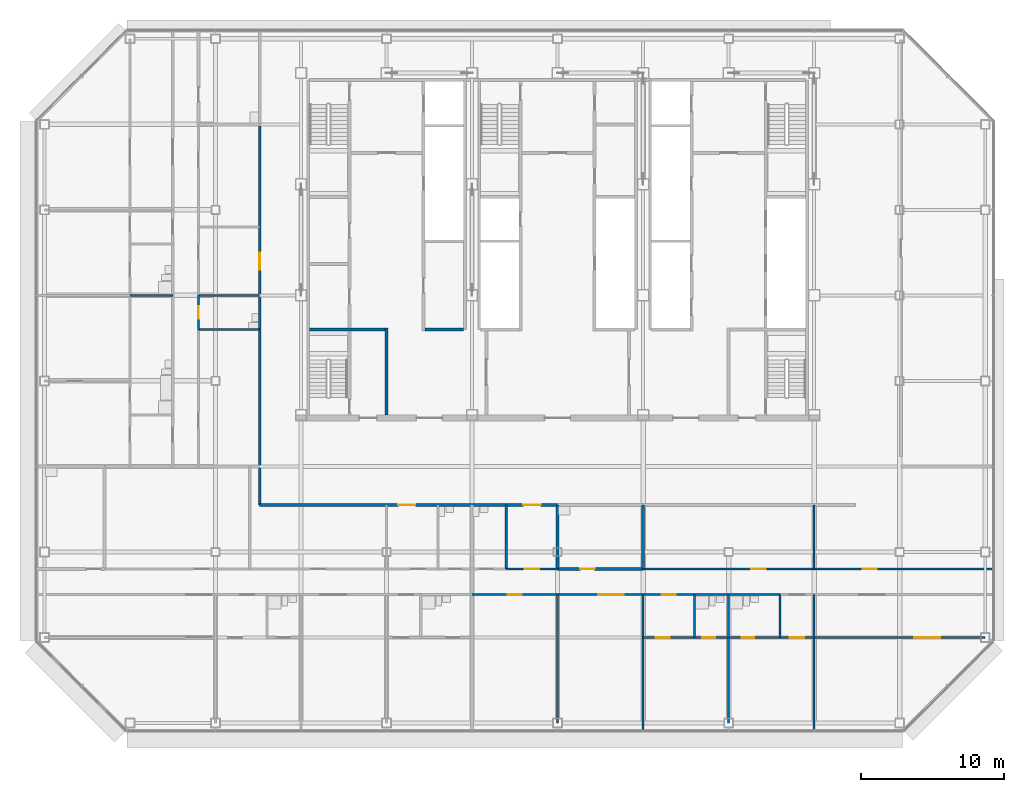
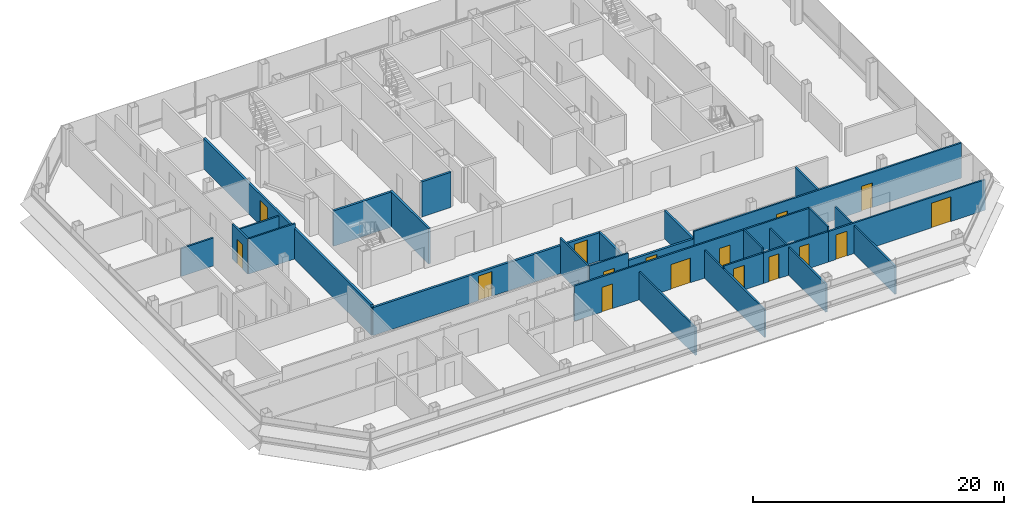
# One storey, part 21 of 27: 28 walls, 16 doors, 16 openings.
"""IFC4 building model written with IfcOpenShell, lengths in metres."""

from ifc_helpers import new_model, si_unit, direction, frame, frame_2d, origin, place, context, subcontext, project, spatial, rectangle, extrude, material, layer, layer_set, type_object, element, fill, save


model = new_model("IFC4")

# Units and contexts
model_context = context("Model", 3, precision=1e-05, world=origin(), true_north=direction((0.0, 1.0)))
body_context = subcontext(model_context, "Body", "Model", "MODEL_VIEW")
ifc_project = project(units=[si_unit("LENGTHUNIT", "METRE"), si_unit("AREAUNIT", "SQUARE_METRE"), si_unit("VOLUMEUNIT", "CUBIC_METRE"), si_unit("PLANEANGLEUNIT", "RADIAN"), si_unit("MASSUNIT", "GRAM", prefix="KILO")], contexts=[model_context])

# Site, building, storey
site_placement = place(None, origin())
site = spatial("IfcSite", under=ifc_project, at=site_placement, CompositionType="ELEMENT")
building_placement = place(site_placement, origin())
building = spatial("IfcBuilding", under=site, at=building_placement, Name="Sorahane Residences", CompositionType="ELEMENT")
storey_placement = place(building_placement, frame((0.0, 0.0, 202.800048828125)))
storey = spatial("IfcBuildingStorey", under=building, at=storey_placement, Name="L47", CompositionType="ELEMENT", Elevation=202.800048828125)

# Wall, opening, door
ifc_material_1 = material(Name="Concrete blockwork C20 wall", Category="masonry")
ifc_layer_1 = layer(ifc_material_1, 0.199951171875)
ifc_layer_set_1 = layer_set([ifc_layer_1], Name="Corridor wall 200 EI 120")
wall_type_1 = type_object("IfcWallType", Name="Corridor wall 200 EI 120", PredefinedType="SOLIDWALL", material=ifc_layer_set_1)
wall_1_placement = place(storey_placement, frame((3.10009765625, 15.300048828125, 0.0), z_axis=(0.0, 0.0, 1.0), x_axis=(0.0, 1.0, 0.0)))
wall_1 = element("IfcWall", 1, at=wall_1_placement, inside=storey, type_object=wall_type_1, Name="L47 corridor wall", PredefinedType="SOLIDWALL", context=body_context, shape_type="SweptSolid", body=[
    extrude(rectangle(XDim=26.699951171875, YDim=0.199951171875, at=frame_2d((13.35009765625, 0.0))), origin(), (0.0, 0.0, 1.0), 2.969970703125),
])
opening_1_placement = place(wall_1_placement, frame((16.5, 0.0, 0.0)))
opening_1 = element("IfcOpeningElement", 2, at=opening_1_placement, cuts=wall_1, Name="Opening L47-46", PredefinedType="OPENING", context=body_context, shape_type="SweptSolid", body=[
    extrude(rectangle(XDim=1.199951171875, YDim=2.39990234375, at=frame_2d((0.60009765625, 1.199951171875))), frame((0.0, 0.10986328125, 0.0), z_axis=(0.0, -1.0, 0.0), x_axis=(1.0, 0.0, 0.0)), (0.0, 0.0, 1.0), 0.219970703125),
])
ifc_material_2 = material(Name="Timber veneered fire door", Category="wood")
door_type_1 = type_object("IfcDoorType", Name="Flat entrance door 1200x2400 FD60", OperationType="NOTDEFINED", PredefinedType="DOOR", material=ifc_material_2)
door_1_placement = place(opening_1_placement, origin())
door_1 = element("IfcDoor", 3, at=door_1_placement, inside=storey, type_object=door_type_1, Name="Flat entrance door L47-46", OperationType="SINGLE_SWING_LEFT", OverallHeight=2.39990234375, OverallWidth=1.199951171875, PredefinedType="DOOR", context=body_context, shape_type="SweptSolid", body=[
    extrude(rectangle(XDim=1.199951171875, YDim=2.39990234375, at=frame_2d((0.60009765625, 1.199951171875))), frame((0.0, 0.02490234375, 0.0), z_axis=(0.0, -1.0, 0.0), x_axis=(1.0, 0.0, 0.0)), (0.0, 0.0, 1.0), 0.050048828125),
])
fill(opening_1, door_1)

# Wall, openings, doors
wall_2_placement = place(storey_placement, frame((3.10009765625, 15.300048828125, 0.0), z_axis=(0.0, 0.0, 1.0), x_axis=(1.0, 0.0, 0.0)))
wall_2 = element("IfcWall", 4, at=wall_2_placement, inside=storey, type_object=wall_type_1, Name="L47 corridor wall", PredefinedType="SOLIDWALL", context=body_context, shape_type="SweptSolid", body=[
    extrude(rectangle(XDim=20.89990234375, YDim=0.199951171875, at=frame_2d((10.449951171875, 0.0))), origin(), (0.0, 0.0, 1.0), 2.719970703125),
])
opening_2_placement = place(wall_2_placement, frame((9.719970703125, 0.0, 0.0)))
opening_2 = element("IfcOpeningElement", 5, at=opening_2_placement, cuts=wall_2, Name="Opening L47-44", PredefinedType="OPENING", context=body_context, shape_type="SweptSolid", body=[
    extrude(rectangle(XDim=1.199951171875, YDim=2.39990234375, at=frame_2d((0.60009765625, 1.199951171875))), frame((0.0, 0.10986328125, 0.0), z_axis=(0.0, -1.0, 0.0), x_axis=(1.0, 0.0, 0.0)), (0.0, 0.0, 1.0), 0.219970703125),
])
opening_3_placement = place(wall_2_placement, frame((18.5, 0.0, 0.0)))
opening_3 = element("IfcOpeningElement", 6, at=opening_3_placement, cuts=wall_2, Name="Opening L47-45", PredefinedType="OPENING", context=body_context, shape_type="SweptSolid", body=[
    extrude(rectangle(XDim=1.199951171875, YDim=2.39990234375, at=frame_2d((0.60009765625, 1.199951171875))), frame((0.0, 0.10986328125, 0.0), z_axis=(0.0, -1.0, 0.0), x_axis=(1.0, 0.0, 0.0)), (0.0, 0.0, 1.0), 0.219970703125),
])
door_2_placement = place(opening_2_placement, frame((1.199951171875, 0.0, 0.0), z_axis=(0.0, 0.0, 1.0), x_axis=(-1.0, 0.0, 0.0)))
door_2 = element("IfcDoor", 7, at=door_2_placement, inside=storey, type_object=door_type_1, Name="Flat entrance door L47-44", OperationType="SINGLE_SWING_RIGHT", OverallHeight=2.39990234375, OverallWidth=1.199951171875, PredefinedType="DOOR", context=body_context, shape_type="SweptSolid", body=[
    extrude(rectangle(XDim=1.199951171875, YDim=2.39990234375, at=frame_2d((0.60009765625, 1.199951171875))), frame((0.0, 0.02490234375, 0.0), z_axis=(0.0, -1.0, 0.0), x_axis=(1.0, 0.0, 0.0)), (0.0, 0.0, 1.0), 0.050048828125),
])
fill(opening_2, door_2)
door_3_placement = place(opening_3_placement, frame((1.199951171875, 0.0, 0.0), z_axis=(0.0, 0.0, 1.0), x_axis=(-1.0, 0.0, 0.0)))
door_3 = element("IfcDoor", 8, at=door_3_placement, inside=storey, type_object=door_type_1, Name="Flat entrance door L47-45", OperationType="SINGLE_SWING_RIGHT", OverallHeight=2.39990234375, OverallWidth=1.199951171875, PredefinedType="DOOR", context=body_context, shape_type="SweptSolid", body=[
    extrude(rectangle(XDim=1.199951171875, YDim=2.39990234375, at=frame_2d((0.60009765625, 1.199951171875))), frame((0.0, 0.02490234375, 0.0), z_axis=(0.0, -1.0, 0.0), x_axis=(1.0, 0.0, 0.0)), (0.0, 0.0, 1.0), 0.050048828125),
])
fill(opening_3, door_3)

# Walls
ifc_material_3 = material(Name="Concrete C30", Category="concrete")
ifc_layer_2 = layer(ifc_material_3, 0.199951171875)
ifc_layer_set_2 = layer_set([ifc_layer_2], Name="Front room wall 200 EI 120")
wall_type_2 = type_object("IfcWallType", Name="Front room wall 200 EI 120", PredefinedType="PARTITIONING", material=ifc_layer_set_2)
wall_3_placement = place(storey_placement, frame((12.0, 21.60009765625, 0.0), z_axis=(0.0, 0.0, 1.0), x_axis=(0.0, 1.0, 0.0)))
element("IfcWall", 9, at=wall_3_placement, inside=storey, type_object=wall_type_2, Name="L47 front room wall", PredefinedType="PARTITIONING", context=body_context, shape_type="SweptSolid", body=[
    extrude(rectangle(XDim=6.099853515625, YDim=0.199951171875, at=frame_2d((3.0498046875, 0.0))), origin(), (0.0, 0.0, 1.0), 3.419921875),
])
ifc_material_4 = material(Name="Concrete blockwork C20 wall", Category="masonry")
ifc_layer_3 = layer(ifc_material_4, 0.199951171875)
ifc_layer_set_3 = layer_set([ifc_layer_3], Name="Kitchen wall 200 EI 180")
wall_type_3 = type_object("IfcWallType", Name="Kitchen wall 200 EI 180", PredefinedType="SOLIDWALL", material=ifc_layer_set_3)
for number, where, z_axis, x_axis, name in (
    (10, (24.0, 10.800048828125, 0.0), (0.0, 0.0, 1.0), (0.0, 1.0, 0.0), "L47 kitchen wall"),
    (11, (30.0, 10.800048828125, 0.0), (0.0, 0.0, 1.0), (0.0, 1.0, 0.0), "L47 kitchen wall"),
):
    element("IfcWall", number, at=place(storey_placement, frame(where, z_axis=z_axis, x_axis=x_axis)), inside=storey, type_object=wall_type_3, Name=name, PredefinedType="SOLIDWALL", context=body_context, shape_type="SweptSolid", body=[
        extrude(rectangle(XDim=4.5, YDim=0.199951171875, at=frame_2d((2.25, 0.0))), origin(), (0.0, 0.0, 1.0), 2.719970703125),
    ])

# Wall, opening, door
wall_4_placement = place(storey_placement, frame((24.0, 10.800048828125, 0.0), z_axis=(0.0, 0.0, 1.0), x_axis=(1.0, 0.0, 0.0)))
wall_4 = element("IfcWall", 12, at=wall_4_placement, inside=storey, type_object=wall_type_3, Name="L47 kitchen wall", PredefinedType="SOLIDWALL", context=body_context, shape_type="SweptSolid", body=[
    extrude(rectangle(XDim=6.0, YDim=0.199951171875, at=frame_2d((3.0, 0.0))), origin(), (0.0, 0.0, 1.0), 2.719970703125),
])
opening_4_placement = place(wall_4_placement, frame((1.60009765625, 0.0, 0.0)))
opening_4 = element("IfcOpeningElement", 13, at=opening_4_placement, cuts=wall_4, Name="Opening L47-17", PredefinedType="OPENING", context=body_context, shape_type="SweptSolid", body=[
    extrude(rectangle(XDim=1.0, YDim=2.39990234375, at=frame_2d((0.5, 1.199951171875))), frame((0.0, 0.10986328125, 0.0), z_axis=(0.0, -1.0, 0.0), x_axis=(1.0, 0.0, 0.0)), (0.0, 0.0, 1.0), 0.219970703125),
])
ifc_material_5 = material(Name="Steel", Category="steel")
door_type_2 = type_object("IfcDoorType", Name="Kitchen door 1000x2400 FD120", OperationType="NOTDEFINED", PredefinedType="DOOR", material=ifc_material_5)
door_4_placement = place(opening_4_placement, origin())
door_4 = element("IfcDoor", 14, at=door_4_placement, inside=storey, type_object=door_type_2, Name="Kitchen door L47-17", OperationType="SINGLE_SWING_RIGHT", OverallHeight=2.39990234375, OverallWidth=1.0, PredefinedType="DOOR", context=body_context, shape_type="SweptSolid", body=[
    extrude(rectangle(XDim=1.0, YDim=2.39990234375, at=frame_2d((0.5, 1.199951171875))), frame((0.0, 0.02490234375, 0.0), z_axis=(0.0, -1.0, 0.0), x_axis=(1.0, 0.0, 0.0)), (0.0, 0.0, 1.0), 0.050048828125),
])
fill(opening_4, door_4)

# Walls
ifc_material_6 = material(Name="Gypsum board partition on steel studs", Category="steel")
ifc_layer_4 = layer(ifc_material_6, 0.14990234375)
ifc_layer_set_4 = layer_set([ifc_layer_4], Name="Partition 150 EI 90")
wall_type_4 = type_object("IfcWallType", Name="Partition 150 EI 90", PredefinedType="PARTITIONING", material=ifc_layer_set_4)
wall_5_placement = place(storey_placement, frame((24.0, 0.0, 0.0), z_axis=(0.0, 0.0, 1.0), x_axis=(0.0, 1.0, 0.0)))
element("IfcWall", 15, at=wall_5_placement, inside=storey, type_object=wall_type_4, Name="L47 partition", PredefinedType="PARTITIONING", context=body_context, shape_type="SweptSolid", body=[
    extrude(rectangle(XDim=9.0, YDim=0.14990234375, at=frame_2d((4.5, 0.0))), origin(), (0.0, 0.0, 1.0), 2.719970703125),
])
wall_6_placement = place(storey_placement, frame((30.0, -0.60009765625, 0.0), z_axis=(0.0, 0.0, 1.0), x_axis=(0.0, 1.0, 0.0)))
element("IfcWall", 16, at=wall_6_placement, inside=storey, type_object=wall_type_4, Name="L47 partition", PredefinedType="PARTITIONING", context=body_context, shape_type="SweptSolid", body=[
    extrude(rectangle(XDim=9.60009765625, YDim=0.14990234375, at=frame_2d((4.800048828125, 0.0))), origin(), (0.0, 0.0, 1.0), 2.719970703125),
])
wall_7_placement = place(storey_placement, frame((36.0, 0.0, 0.0), z_axis=(0.0, 0.0, 1.0), x_axis=(0.0, 1.0, 0.0)))
element("IfcWall", 17, at=wall_7_placement, inside=storey, type_object=wall_type_4, Name="L47 partition", PredefinedType="PARTITIONING", context=body_context, shape_type="SweptSolid", body=[
    extrude(rectangle(XDim=6.0, YDim=0.14990234375, at=frame_2d((3.0, 0.0))), origin(), (0.0, 0.0, 1.0), 2.719970703125),
])
wall_8_placement = place(storey_placement, frame((42.0, -0.60009765625, 0.0), z_axis=(0.0, 0.0, 1.0), x_axis=(0.0, 1.0, 0.0)))
element("IfcWall", 18, at=wall_8_placement, inside=storey, type_object=wall_type_4, Name="L47 partition", PredefinedType="PARTITIONING", context=body_context, shape_type="SweptSolid", body=[
    extrude(rectangle(XDim=9.60009765625, YDim=0.14990234375, at=frame_2d((4.800048828125, 0.0))), origin(), (0.0, 0.0, 1.0), 2.719970703125),
])
wall_9_placement = place(storey_placement, frame((42.0, 10.800048828125, 0.0), z_axis=(0.0, 0.0, 1.0), x_axis=(0.0, 1.0, 0.0)))
element("IfcWall", 19, at=wall_9_placement, inside=storey, type_object=wall_type_4, Name="L47 partition", PredefinedType="PARTITIONING", context=body_context, shape_type="SweptSolid", body=[
    extrude(rectangle(XDim=4.5, YDim=0.14990234375, at=frame_2d((2.25, 0.0))), origin(), (0.0, 0.0, 1.0), 2.719970703125),
])

# Wall, opening, door
wall_10_placement = place(storey_placement, frame((20.39990234375, 10.800048828125, 0.0), z_axis=(0.0, 0.0, 1.0), x_axis=(1.0, 0.0, 0.0)))
wall_10 = element("IfcWall", 20, at=wall_10_placement, inside=storey, type_object=wall_type_4, Name="L47 partition", PredefinedType="PARTITIONING", context=body_context, shape_type="SweptSolid", body=[
    extrude(rectangle(XDim=3.60009765625, YDim=0.14990234375, at=frame_2d((1.800048828125, 0.0))), origin(), (0.0, 0.0, 1.0), 3.419921875),
])
opening_5_placement = place(wall_10_placement, frame((1.300048828125, 0.0, 0.0)))
opening_5 = element("IfcOpeningElement", 21, at=opening_5_placement, cuts=wall_10, Name="Opening L47-15", PredefinedType="OPENING", context=body_context, shape_type="SweptSolid", body=[
    extrude(rectangle(XDim=1.0, YDim=2.39990234375, at=frame_2d((0.5, 1.199951171875))), frame((0.0, 0.0849609375, 0.0), z_axis=(0.0, -1.0, 0.0), x_axis=(1.0, 0.0, 0.0)), (0.0, 0.0, 1.0), 0.169921875),
])
ifc_material_7 = material(Name="Timber veneered fire door", Category="wood")
door_type_3 = type_object("IfcDoorType", Name="Room door 1000x2400 FD30", OperationType="NOTDEFINED", PredefinedType="DOOR", material=ifc_material_7)
door_5_placement = place(opening_5_placement, frame((1.0, 0.0, 0.0), z_axis=(0.0, 0.0, 1.0), x_axis=(-1.0, 0.0, 0.0)))
door_5 = element("IfcDoor", 22, at=door_5_placement, inside=storey, type_object=door_type_3, Name="Room door L47-15", OperationType="SINGLE_SWING_LEFT", OverallHeight=2.39990234375, OverallWidth=1.0, PredefinedType="DOOR", context=body_context, shape_type="SweptSolid", body=[
    extrude(rectangle(XDim=1.0, YDim=2.39990234375, at=frame_2d((0.5, 1.199951171875))), frame((0.0, 0.02490234375, 0.0), z_axis=(0.0, -1.0, 0.0), x_axis=(1.0, 0.0, 0.0)), (0.0, 0.0, 1.0), 0.050048828125),
])
fill(opening_5, door_5)

# Wall, openings, doors
wall_11_placement = place(storey_placement, frame((30.0, 10.800048828125, 0.0), z_axis=(0.0, 0.0, 1.0), x_axis=(1.0, 0.0, 0.0)))
wall_11 = element("IfcWall", 23, at=wall_11_placement, inside=storey, type_object=wall_type_4, Name="L47 partition", PredefinedType="PARTITIONING", context=body_context, shape_type="SweptSolid", body=[
    extrude(rectangle(XDim=24.60009765625, YDim=0.14990234375, at=frame_2d((12.300048828125, 0.0))), origin(), (0.0, 0.0, 1.0), 3.419921875),
])
opening_6_placement = place(wall_11_placement, frame((7.60009765625, 0.0, 0.0)))
opening_6 = element("IfcOpeningElement", 24, at=opening_6_placement, cuts=wall_11, Name="Opening L47-18", PredefinedType="OPENING", context=body_context, shape_type="SweptSolid", body=[
    extrude(rectangle(XDim=1.0, YDim=2.39990234375, at=frame_2d((0.5, 1.199951171875))), frame((0.0, 0.0849609375, 0.0), z_axis=(0.0, -1.0, 0.0), x_axis=(1.0, 0.0, 0.0)), (0.0, 0.0, 1.0), 0.169921875),
])
opening_7_placement = place(wall_11_placement, frame((15.39990234375, 0.0, 0.0)))
opening_7 = element("IfcOpeningElement", 25, at=opening_7_placement, cuts=wall_11, Name="Opening L47-19", PredefinedType="OPENING", context=body_context, shape_type="SweptSolid", body=[
    extrude(rectangle(XDim=1.0, YDim=2.39990234375, at=frame_2d((0.5, 1.199951171875))), frame((0.0, 0.0849609375, 0.0), z_axis=(0.0, -1.0, 0.0), x_axis=(1.0, 0.0, 0.0)), (0.0, 0.0, 1.0), 0.169921875),
])
door_6_placement = place(opening_6_placement, origin())
door_6 = element("IfcDoor", 26, at=door_6_placement, inside=storey, type_object=door_type_3, Name="Room door L47-18", OperationType="SINGLE_SWING_RIGHT", OverallHeight=2.39990234375, OverallWidth=1.0, PredefinedType="DOOR", context=body_context, shape_type="SweptSolid", body=[
    extrude(rectangle(XDim=1.0, YDim=2.39990234375, at=frame_2d((0.5, 1.199951171875))), frame((0.0, 0.02490234375, 0.0), z_axis=(0.0, -1.0, 0.0), x_axis=(1.0, 0.0, 0.0)), (0.0, 0.0, 1.0), 0.050048828125),
])
fill(opening_6, door_6)
door_7_placement = place(opening_7_placement, origin())
door_7 = element("IfcDoor", 27, at=door_7_placement, inside=storey, type_object=door_type_3, Name="Room door L47-19", OperationType="SINGLE_SWING_LEFT", OverallHeight=2.39990234375, OverallWidth=1.0, PredefinedType="DOOR", context=body_context, shape_type="SweptSolid", body=[
    extrude(rectangle(XDim=1.0, YDim=2.39990234375, at=frame_2d((0.5, 1.199951171875))), frame((0.0, 0.02490234375, 0.0), z_axis=(0.0, -1.0, 0.0), x_axis=(1.0, 0.0, 0.0)), (0.0, 0.0, 1.0), 0.050048828125),
])
fill(opening_7, door_7)

# Wall, opening, door
wall_12_placement = place(storey_placement, frame((30.0, 6.0, 0.0), z_axis=(0.0, 0.0, 1.0), x_axis=(1.0, 0.0, 0.0)))
wall_12 = element("IfcWall", 28, at=wall_12_placement, inside=storey, type_object=wall_type_4, Name="L47 partition", PredefinedType="PARTITIONING", context=body_context, shape_type="SweptSolid", body=[
    extrude(rectangle(XDim=3.60009765625, YDim=0.14990234375, at=frame_2d((1.800048828125, 0.0))), origin(), (0.0, 0.0, 1.0), 2.969970703125),
])
opening_8_placement = place(wall_12_placement, frame((0.8798828125, 0.0, 0.0)))
opening_8 = element("IfcOpeningElement", 29, at=opening_8_placement, cuts=wall_12, Name="Opening L47-25", PredefinedType="OPENING", context=body_context, shape_type="SweptSolid", body=[
    extrude(rectangle(XDim=1.0, YDim=2.39990234375, at=frame_2d((0.5, 1.199951171875))), frame((0.0, 0.0849609375, 0.0), z_axis=(0.0, -1.0, 0.0), x_axis=(1.0, 0.0, 0.0)), (0.0, 0.0, 1.0), 0.169921875),
])
door_8_placement = place(opening_8_placement, frame((1.0, 0.0, 0.0), z_axis=(0.0, 0.0, 1.0), x_axis=(-1.0, 0.0, 0.0)))
door_8 = element("IfcDoor", 30, at=door_8_placement, inside=storey, type_object=door_type_3, Name="Room door L47-25", OperationType="SINGLE_SWING_LEFT", OverallHeight=2.39990234375, OverallWidth=1.0, PredefinedType="DOOR", context=body_context, shape_type="SweptSolid", body=[
    extrude(rectangle(XDim=1.0, YDim=2.39990234375, at=frame_2d((0.5, 1.199951171875))), frame((0.0, 0.02490234375, 0.0), z_axis=(0.0, -1.0, 0.0), x_axis=(1.0, 0.0, 0.0)), (0.0, 0.0, 1.0), 0.050048828125),
])
fill(opening_8, door_8)

# Wall, openings, doors
wall_13_placement = place(storey_placement, frame((39.60009765625, 6.0, 0.0), z_axis=(0.0, 0.0, 1.0), x_axis=(1.0, 0.0, 0.0)))
wall_13 = element("IfcWall", 31, at=wall_13_placement, inside=storey, type_object=wall_type_4, Name="L47 partition", PredefinedType="PARTITIONING", context=body_context, shape_type="SweptSolid", body=[
    extrude(rectangle(XDim=14.39990234375, YDim=0.14990234375, at=frame_2d((7.199951171875, 0.0))), origin(), (0.0, 0.0, 1.0), 2.969970703125),
])
opening_9_placement = place(wall_13_placement, frame((0.699951171875, 0.0, 0.0)))
opening_9 = element("IfcOpeningElement", 32, at=opening_9_placement, cuts=wall_13, Name="Opening L47-27", PredefinedType="OPENING", context=body_context, shape_type="SweptSolid", body=[
    extrude(rectangle(XDim=1.0, YDim=2.39990234375, at=frame_2d((0.5, 1.199951171875))), frame((0.0, 0.0849609375, 0.0), z_axis=(0.0, -1.0, 0.0), x_axis=(1.0, 0.0, 0.0)), (0.0, 0.0, 1.0), 0.169921875),
])
opening_10_placement = place(wall_13_placement, frame((9.43994140625, 0.0, 0.0)))
opening_10 = element("IfcOpeningElement", 33, at=opening_10_placement, cuts=wall_13, Name="Opening L47-29", PredefinedType="OPENING", context=body_context, shape_type="SweptSolid", body=[
    extrude(rectangle(XDim=1.800048828125, YDim=2.39990234375, at=frame_2d((0.89990234375, 1.199951171875))), frame((0.0, 0.0849609375, 0.0), z_axis=(0.0, -1.0, 0.0), x_axis=(1.0, 0.0, 0.0)), (0.0, 0.0, 1.0), 0.169921875),
])
ifc_material_8 = material(Name="Timber veneered fire door", Category="wood")
door_type_4 = type_object("IfcDoorType", Name="Double door 1800x2400 FD30", OperationType="NOTDEFINED", PredefinedType="DOOR", material=ifc_material_8)
door_9_placement = place(opening_10_placement, frame((1.800048828125, 0.0, 0.0), z_axis=(0.0, 0.0, 1.0), x_axis=(-1.0, 0.0, 0.0)))
door_9 = element("IfcDoor", 34, at=door_9_placement, inside=storey, type_object=door_type_4, Name="Double door L47-29", OperationType="SINGLE_SWING_LEFT", OverallHeight=2.39990234375, OverallWidth=1.800048828125, PredefinedType="DOOR", context=body_context, shape_type="SweptSolid", body=[
    extrude(rectangle(XDim=1.800048828125, YDim=2.39990234375, at=frame_2d((0.89990234375, 1.199951171875))), frame((0.0, 0.02490234375, 0.0), z_axis=(0.0, -1.0, 0.0), x_axis=(1.0, 0.0, 0.0)), (0.0, 0.0, 1.0), 0.050048828125),
])
fill(opening_10, door_9)
door_10_placement = place(opening_9_placement, frame((1.0, 0.0, 0.0), z_axis=(0.0, 0.0, 1.0), x_axis=(-1.0, 0.0, 0.0)))
door_10 = element("IfcDoor", 35, at=door_10_placement, inside=storey, type_object=door_type_3, Name="Room door L47-27", OperationType="SINGLE_SWING_RIGHT", OverallHeight=2.39990234375, OverallWidth=1.0, PredefinedType="DOOR", context=body_context, shape_type="SweptSolid", body=[
    extrude(rectangle(XDim=1.0, YDim=2.39990234375, at=frame_2d((0.5, 1.199951171875))), frame((0.0, 0.02490234375, 0.0), z_axis=(0.0, -1.0, 0.0), x_axis=(1.0, 0.0, 0.0)), (0.0, 0.0, 1.0), 0.050048828125),
])
fill(opening_9, door_10)

wall_14_placement = place(storey_placement, frame((18.0, 9.0, 0.0), z_axis=(0.0, 0.0, 1.0), x_axis=(1.0, 0.0, 0.0)))
wall_14 = element("IfcWall", 36, at=wall_14_placement, inside=storey, type_object=wall_type_4, Name="L47 partition", PredefinedType="PARTITIONING", context=body_context, shape_type="SweptSolid", body=[
    extrude(rectangle(XDim=15.60009765625, YDim=0.14990234375, at=frame_2d((7.800048828125, 0.0))), origin(), (0.0, 0.0, 1.0), 3.419921875),
])
opening_11_placement = place(wall_14_placement, frame((2.5, 0.0, 0.0)))
opening_11 = element("IfcOpeningElement", 37, at=opening_11_placement, cuts=wall_14, Name="Opening L47-20", PredefinedType="OPENING", context=body_context, shape_type="SweptSolid", body=[
    extrude(rectangle(XDim=1.0, YDim=2.39990234375, at=frame_2d((0.5, 1.199951171875))), frame((0.0, 0.0849609375, 0.0), z_axis=(0.0, -1.0, 0.0), x_axis=(1.0, 0.0, 0.0)), (0.0, 0.0, 1.0), 0.169921875),
])
opening_12_placement = place(wall_14_placement, frame((8.840087890625, 0.0, 0.0)))
opening_12 = element("IfcOpeningElement", 38, at=opening_12_placement, cuts=wall_14, Name="Opening L47-21", PredefinedType="OPENING", context=body_context, shape_type="SweptSolid", body=[
    extrude(rectangle(XDim=1.800048828125, YDim=2.39990234375, at=frame_2d((0.89990234375, 1.199951171875))), frame((0.0, 0.0849609375, 0.0), z_axis=(0.0, -1.0, 0.0), x_axis=(1.0, 0.0, 0.0)), (0.0, 0.0, 1.0), 0.169921875),
])
opening_13_placement = place(wall_14_placement, frame((13.300048828125, 0.0, 0.0)))
opening_13 = element("IfcOpeningElement", 39, at=opening_13_placement, cuts=wall_14, Name="Opening L47-22", PredefinedType="OPENING", context=body_context, shape_type="SweptSolid", body=[
    extrude(rectangle(XDim=1.0, YDim=2.39990234375, at=frame_2d((0.5, 1.199951171875))), frame((0.0, 0.0849609375, 0.0), z_axis=(0.0, -1.0, 0.0), x_axis=(1.0, 0.0, 0.0)), (0.0, 0.0, 1.0), 0.169921875),
])
door_11_placement = place(opening_12_placement, frame((1.800048828125, 0.0, 0.0), z_axis=(0.0, 0.0, 1.0), x_axis=(-1.0, 0.0, 0.0)))
door_11 = element("IfcDoor", 40, at=door_11_placement, inside=storey, type_object=door_type_4, Name="Double door L47-21", OperationType="SINGLE_SWING_RIGHT", OverallHeight=2.39990234375, OverallWidth=1.800048828125, PredefinedType="DOOR", context=body_context, shape_type="SweptSolid", body=[
    extrude(rectangle(XDim=1.800048828125, YDim=2.39990234375, at=frame_2d((0.89990234375, 1.199951171875))), frame((0.0, 0.02490234375, 0.0), z_axis=(0.0, -1.0, 0.0), x_axis=(1.0, 0.0, 0.0)), (0.0, 0.0, 1.0), 0.050048828125),
])
fill(opening_12, door_11)
door_12_placement = place(opening_11_placement, frame((1.0, 0.0, 0.0), z_axis=(0.0, 0.0, 1.0), x_axis=(-1.0, 0.0, 0.0)))
door_12 = element("IfcDoor", 41, at=door_12_placement, inside=storey, type_object=door_type_3, Name="Room door L47-20", OperationType="SINGLE_SWING_LEFT", OverallHeight=2.39990234375, OverallWidth=1.0, PredefinedType="DOOR", context=body_context, shape_type="SweptSolid", body=[
    extrude(rectangle(XDim=1.0, YDim=2.39990234375, at=frame_2d((0.5, 1.199951171875))), frame((0.0, 0.02490234375, 0.0), z_axis=(0.0, -1.0, 0.0), x_axis=(1.0, 0.0, 0.0)), (0.0, 0.0, 1.0), 0.050048828125),
])
fill(opening_11, door_12)
door_13_placement = place(opening_13_placement, frame((1.0, 0.0, 0.0), z_axis=(0.0, 0.0, 1.0), x_axis=(-1.0, 0.0, 0.0)))
door_13 = element("IfcDoor", 42, at=door_13_placement, inside=storey, type_object=door_type_3, Name="Room door L47-22", OperationType="SINGLE_SWING_RIGHT", OverallHeight=2.39990234375, OverallWidth=1.0, PredefinedType="DOOR", context=body_context, shape_type="SweptSolid", body=[
    extrude(rectangle(XDim=1.0, YDim=2.39990234375, at=frame_2d((0.5, 1.199951171875))), frame((0.0, 0.02490234375, 0.0), z_axis=(0.0, -1.0, 0.0), x_axis=(1.0, 0.0, 0.0)), (0.0, 0.0, 1.0), 0.050048828125),
])
fill(opening_13, door_13)

# Walls
ifc_material_9 = material(Name="Concrete C30", Category="concrete")
ifc_layer_5 = layer(ifc_material_9, 0.199951171875)
ifc_layer_set_5 = layer_set([ifc_layer_5], Name="Service room partition 200 EI 60")
wall_type_5 = type_object("IfcWallType", Name="Service room partition 200 EI 60", PredefinedType="PARTITIONING", material=ifc_layer_set_5)
wall_15_placement = place(storey_placement, frame((14.699951171875, 27.60009765625, 0.0), z_axis=(0.0, 0.0, 1.0), x_axis=(1.0, 0.0, 0.0)))
element("IfcWall", 43, at=wall_15_placement, inside=storey, type_object=wall_type_5, Name="L47 service room wall", PredefinedType="PARTITIONING", context=body_context, shape_type="SweptSolid", body=[
    extrude(rectangle(XDim=2.699951171875, YDim=0.199951171875, at=frame_2d((1.35009765625, 0.0))), origin(), (0.0, 0.0, 1.0), 3.419921875),
])
ifc_material_10 = material(Name="Concrete C30", Category="concrete")
ifc_layer_6 = layer(ifc_material_10, 0.199951171875)
ifc_layer_set_6 = layer_set([ifc_layer_6], Name="Stair enclosure wall 200 EI 120")
wall_type_6 = type_object("IfcWallType", Name="Stair enclosure wall 200 EI 120", PredefinedType="SOLIDWALL", material=ifc_layer_set_6)
wall_16_placement = place(storey_placement, frame((6.60009765625, 27.60009765625, 0.0), z_axis=(0.0, 0.0, 1.0), x_axis=(1.0, 0.0, 0.0)))
element("IfcWall", 44, at=wall_16_placement, inside=storey, type_object=wall_type_6, Name="L47 stair enclosure wall", PredefinedType="SOLIDWALL", context=body_context, shape_type="SweptSolid", body=[
    extrude(rectangle(XDim=5.2998046875, YDim=0.199951171875, at=frame_2d((2.64990234375, 0.0))), origin(), (0.0, 0.0, 1.0), 3.419921875),
])

# Wall, opening, door
ifc_material_11 = material(Name="Gypsum board partition on steel studs", Category="steel")
ifc_layer_7 = layer(ifc_material_11, 0.14990234375)
ifc_layer_set_7 = layer_set([ifc_layer_7], Name="Wet wall 150 EI 90")
wall_type_7 = type_object("IfcWallType", Name="Wet wall 150 EI 90", PredefinedType="PARTITIONING", material=ifc_layer_set_7)
wall_17_placement = place(storey_placement, frame((-1.199951171875, 27.60009765625, 0.0), z_axis=(0.0, 0.0, 1.0), x_axis=(0.0, 1.0, 0.0)))
wall_17 = element("IfcWall", 45, at=wall_17_placement, inside=storey, type_object=wall_type_7, Name="L47 wet wall", PredefinedType="PARTITIONING", context=body_context, shape_type="SweptSolid", body=[
    extrude(rectangle(XDim=2.39990234375, YDim=0.14990234375, at=frame_2d((1.199951171875, 0.0))), origin(), (0.0, 0.0, 1.0), 3.419921875),
])
opening_14_placement = place(wall_17_placement, frame((0.75, 0.0, 0.0)))
opening_14 = element("IfcOpeningElement", 46, at=opening_14_placement, cuts=wall_17, Name="Opening L47-32", PredefinedType="OPENING", context=body_context, shape_type="SweptSolid", body=[
    extrude(rectangle(XDim=0.89990234375, YDim=2.39990234375, at=frame_2d((0.449951171875, 1.199951171875))), frame((0.0, 0.0849609375, 0.0), z_axis=(0.0, -1.0, 0.0), x_axis=(1.0, 0.0, 0.0)), (0.0, 0.0, 1.0), 0.169921875),
])
ifc_material_12 = material(Name="Timber veneered fire door", Category="wood")
door_type_5 = type_object("IfcDoorType", Name="Bathroom door 900x2400 FD30", OperationType="NOTDEFINED", PredefinedType="DOOR", material=ifc_material_12)
door_14_placement = place(opening_14_placement, origin())
door_14 = element("IfcDoor", 47, at=door_14_placement, inside=storey, type_object=door_type_5, Name="Bathroom door L47-32", OperationType="SINGLE_SWING_RIGHT", OverallHeight=2.39990234375, OverallWidth=0.89990234375, PredefinedType="DOOR", context=body_context, shape_type="SweptSolid", body=[
    extrude(rectangle(XDim=0.89990234375, YDim=2.39990234375, at=frame_2d((0.449951171875, 1.199951171875))), frame((0.0, 0.02490234375, 0.0), z_axis=(0.0, -1.0, 0.0), x_axis=(1.0, 0.0, 0.0)), (0.0, 0.0, 1.0), 0.050048828125),
])
fill(opening_14, door_14)

# Walls
wall_18_placement = place(storey_placement, frame((20.39990234375, 10.800048828125, 0.0), z_axis=(0.0, 0.0, 1.0), x_axis=(0.0, 1.0, 0.0)))
element("IfcWall", 48, at=wall_18_placement, inside=storey, type_object=wall_type_7, Name="L47 wet wall", PredefinedType="PARTITIONING", context=body_context, shape_type="SweptSolid", body=[
    extrude(rectangle(XDim=4.5, YDim=0.14990234375, at=frame_2d((2.25, 0.0))), origin(), (0.0, 0.0, 1.0), 3.419921875),
])
wall_19_placement = place(storey_placement, frame((33.60009765625, 6.0, 0.0), z_axis=(0.0, 0.0, 1.0), x_axis=(0.0, 1.0, 0.0)))
element("IfcWall", 49, at=wall_19_placement, inside=storey, type_object=wall_type_7, Name="L47 wet wall", PredefinedType="PARTITIONING", context=body_context, shape_type="SweptSolid", body=[
    extrude(rectangle(XDim=3.0, YDim=0.14990234375, at=frame_2d((1.5, 0.0))), origin(), (0.0, 0.0, 1.0), 3.419921875),
])
wall_20_placement = place(storey_placement, frame((36.0, 6.0, 0.0), z_axis=(0.0, 0.0, 1.0), x_axis=(0.0, 1.0, 0.0)))
element("IfcWall", 50, at=wall_20_placement, inside=storey, type_object=wall_type_7, Name="L47 wet wall", PredefinedType="PARTITIONING", context=body_context, shape_type="SweptSolid", body=[
    extrude(rectangle(XDim=3.0, YDim=0.14990234375, at=frame_2d((1.5, 0.0))), origin(), (0.0, 0.0, 1.0), 2.719970703125),
])
wall_21_placement = place(storey_placement, frame((39.60009765625, 6.0, 0.0), z_axis=(0.0, 0.0, 1.0), x_axis=(0.0, 1.0, 0.0)))
element("IfcWall", 51, at=wall_21_placement, inside=storey, type_object=wall_type_7, Name="L47 wet wall", PredefinedType="PARTITIONING", context=body_context, shape_type="SweptSolid", body=[
    extrude(rectangle(XDim=3.0, YDim=0.14990234375, at=frame_2d((1.5, 0.0))), origin(), (0.0, 0.0, 1.0), 3.419921875),
])
wall_22_placement = place(storey_placement, frame((-1.199951171875, 27.60009765625, 0.0), z_axis=(0.0, 0.0, 1.0), x_axis=(1.0, 0.0, 0.0)))
element("IfcWall", 52, at=wall_22_placement, inside=storey, type_object=wall_type_7, Name="L47 wet wall", PredefinedType="PARTITIONING", context=body_context, shape_type="SweptSolid", body=[
    extrude(rectangle(XDim=4.300048828125, YDim=0.14990234375, at=frame_2d((2.14990234375, 0.0))), origin(), (0.0, 0.0, 1.0), 3.419921875),
])
wall_23_placement = place(storey_placement, frame((-6.0, 30.0, 0.0), z_axis=(0.0, 0.0, 1.0), x_axis=(1.0, 0.0, 0.0)))
element("IfcWall", 53, at=wall_23_placement, inside=storey, type_object=wall_type_7, Name="L47 wet wall", PredefinedType="PARTITIONING", context=body_context, shape_type="SweptSolid", body=[
    extrude(rectangle(XDim=3.0, YDim=0.14990234375, at=frame_2d((1.5, 0.0))), origin(), (0.0, 0.0, 1.0), 2.719970703125),
])
wall_24_placement = place(storey_placement, frame((-1.199951171875, 30.0, 0.0), z_axis=(0.0, 0.0, 1.0), x_axis=(1.0, 0.0, 0.0)))
element("IfcWall", 54, at=wall_24_placement, inside=storey, type_object=wall_type_7, Name="L47 wet wall", PredefinedType="PARTITIONING", context=body_context, shape_type="SweptSolid", body=[
    extrude(rectangle(XDim=4.300048828125, YDim=0.14990234375, at=frame_2d((2.14990234375, 0.0))), origin(), (0.0, 0.0, 1.0), 2.719970703125),
])

# Wall, openings, doors
wall_25_placement = place(storey_placement, frame((33.60009765625, 6.0, 0.0), z_axis=(0.0, 0.0, 1.0), x_axis=(1.0, 0.0, 0.0)))
wall_25 = element("IfcWall", 55, at=wall_25_placement, inside=storey, type_object=wall_type_7, Name="L47 wet wall", PredefinedType="PARTITIONING", context=body_context, shape_type="SweptSolid", body=[
    extrude(rectangle(XDim=6.0, YDim=0.14990234375, at=frame_2d((3.0, 0.0))), origin(), (0.0, 0.0, 1.0), 2.969970703125),
])
opening_15_placement = place(wall_25_placement, frame((0.550048828125, 0.0, 0.0)))
opening_15 = element("IfcOpeningElement", 56, at=opening_15_placement, cuts=wall_25, Name="Opening L47-26", PredefinedType="OPENING", context=body_context, shape_type="SweptSolid", body=[
    extrude(rectangle(XDim=0.89990234375, YDim=2.39990234375, at=frame_2d((0.449951171875, 1.199951171875))), frame((0.0, 0.0849609375, 0.0), z_axis=(0.0, -1.0, 0.0), x_axis=(1.0, 0.0, 0.0)), (0.0, 0.0, 1.0), 0.169921875),
])
opening_16_placement = place(wall_25_placement, frame((3.31005859375, 0.0, 0.0)))
opening_16 = element("IfcOpeningElement", 57, at=opening_16_placement, cuts=wall_25, Name="Opening L47-28", PredefinedType="OPENING", context=body_context, shape_type="SweptSolid", body=[
    extrude(rectangle(XDim=0.89990234375, YDim=2.39990234375, at=frame_2d((0.449951171875, 1.199951171875))), frame((0.0, 0.0849609375, 0.0), z_axis=(0.0, -1.0, 0.0), x_axis=(1.0, 0.0, 0.0)), (0.0, 0.0, 1.0), 0.169921875),
])
door_15_placement = place(opening_15_placement, frame((0.89990234375, 0.0, 0.0), z_axis=(0.0, 0.0, 1.0), x_axis=(-1.0, 0.0, 0.0)))
door_15 = element("IfcDoor", 58, at=door_15_placement, inside=storey, type_object=door_type_5, Name="Bathroom door L47-26", OperationType="SINGLE_SWING_RIGHT", OverallHeight=2.39990234375, OverallWidth=0.89990234375, PredefinedType="DOOR", context=body_context, shape_type="SweptSolid", body=[
    extrude(rectangle(XDim=0.89990234375, YDim=2.39990234375, at=frame_2d((0.449951171875, 1.199951171875))), frame((0.0, 0.02490234375, 0.0), z_axis=(0.0, -1.0, 0.0), x_axis=(1.0, 0.0, 0.0)), (0.0, 0.0, 1.0), 0.050048828125),
])
fill(opening_15, door_15)
door_16_placement = place(opening_16_placement, frame((0.89990234375, 0.0, 0.0), z_axis=(0.0, 0.0, 1.0), x_axis=(-1.0, 0.0, 0.0)))
door_16 = element("IfcDoor", 59, at=door_16_placement, inside=storey, type_object=door_type_5, Name="Bathroom door L47-28", OperationType="SINGLE_SWING_RIGHT", OverallHeight=2.39990234375, OverallWidth=0.89990234375, PredefinedType="DOOR", context=body_context, shape_type="SweptSolid", body=[
    extrude(rectangle(XDim=0.89990234375, YDim=2.39990234375, at=frame_2d((0.449951171875, 1.199951171875))), frame((0.0, 0.02490234375, 0.0), z_axis=(0.0, -1.0, 0.0), x_axis=(1.0, 0.0, 0.0)), (0.0, 0.0, 1.0), 0.050048828125),
])
fill(opening_16, door_16)

# Wall
wall_26_placement = place(storey_placement, frame((33.60009765625, 9.0, 0.0), z_axis=(0.0, 0.0, 1.0), x_axis=(1.0, 0.0, 0.0)))
element("IfcWall", 60, at=wall_26_placement, inside=storey, type_object=wall_type_7, Name="L47 wet wall", PredefinedType="PARTITIONING", context=body_context, shape_type="SweptSolid", body=[
    extrude(rectangle(XDim=6.0, YDim=0.14990234375, at=frame_2d((3.0, 0.0))), origin(), (0.0, 0.0, 1.0), 3.419921875),
])

save(model, "model.ifc")
